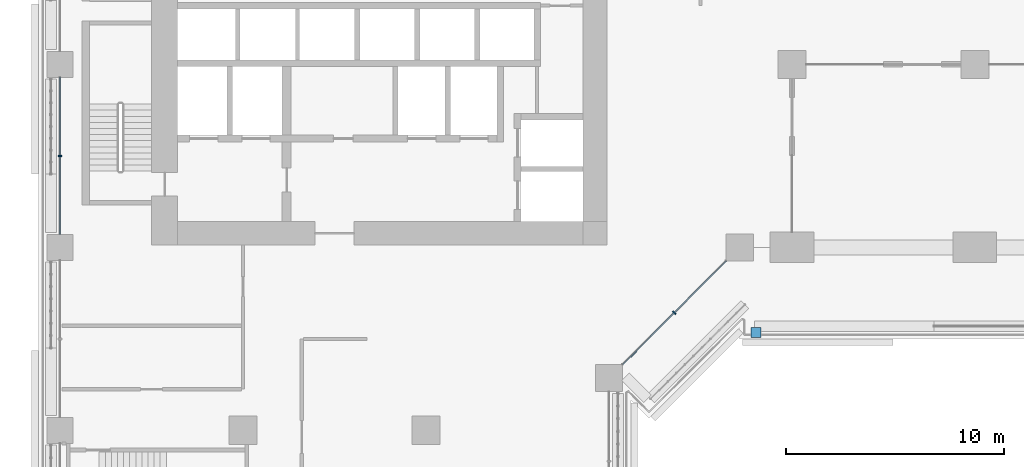
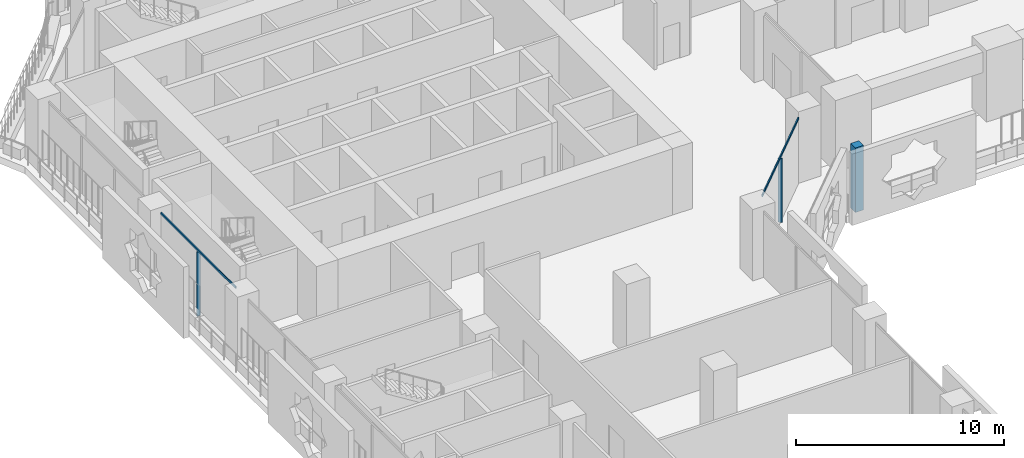
# One storey, part 4 of 27: 5 members, 3 elements without a shape of their own.
"""IFC4 building model written with IfcOpenShell, lengths in metres."""

from ifc_helpers import new_model, si_unit, direction, frame, origin, origin_2d, place, context, subcontext, project, spatial, rectangle, extrude, material, layer, layer_set, material_profile, profile_set, type_object, element, aggregate, save


model = new_model("IFC4")

# Units and contexts
model_context = context("Model", 3, precision=1e-05, world=origin(), true_north=direction((0.0, 1.0)))
body_context = subcontext(model_context, "Body", "Model", "MODEL_VIEW")
ifc_project = project(units=[si_unit("LENGTHUNIT", "METRE"), si_unit("AREAUNIT", "SQUARE_METRE"), si_unit("VOLUMEUNIT", "CUBIC_METRE"), si_unit("PLANEANGLEUNIT", "RADIAN"), si_unit("MASSUNIT", "GRAM", prefix="KILO")], contexts=[model_context])

# Site, building, storey
site_placement = place(None, origin())
site = spatial("IfcSite", under=ifc_project, at=site_placement, CompositionType="ELEMENT")
building_placement = place(site_placement, origin())
building = spatial("IfcBuilding", under=site, at=building_placement, Name="Kawkab Arch Medical Tower", CompositionType="ELEMENT")
storey_placement = place(building_placement, frame((0.0, 0.0, 39.199951171875)))
storey = spatial("IfcBuildingStorey", under=building, at=storey_placement, Name="L08", CompositionType="ELEMENT", Elevation=39.199951171875)

# Curtain wall, members
ifc_material_1 = material(Name="Bronze anodised aluminium curtain wall frame", Category="aluminium")
ifc_layer_1 = layer(ifc_material_1, 0.159912109375)
ifc_layer_set_1 = layer_set([ifc_layer_1], Name="Bronze anodised aluminium curtain wall frame")
curtain_wall_type_1 = type_object("IfcCurtainWallType", Name="CW1 ward curtain wall", PredefinedType="NOTDEFINED", material=ifc_layer_set_1)
placement = place(storey_placement, origin())
curtain_wall_1 = element("IfcCurtainWall", 1, at=placement, inside=storey, type_object=curtain_wall_type_1, Name="CW1 Ward curtain wall R11", PredefinedType="NOTDEFINED")
ifc_material_2 = material(Name="Bronze anodised aluminium curtain wall frame", Category="aluminium")
ifc_material_profile_1 = material_profile(ifc_material_2, rectangle(XDim=0.179931640625, YDim=0.06005859375, at=origin_2d()), Name="AL 60x180")
ifc_profile_set_1 = profile_set([ifc_material_profile_1], Name="Bronze anodised aluminium curtain wall frame")
member_type_1 = type_object("IfcMemberType", Name="CW1 mullion 60 x 180", PredefinedType="MULLION", material=ifc_profile_set_1)
member_1_placement = place(storey_placement, frame((0.0, -21.0, 0.0), z_axis=(0.0, 0.0, 1.0), x_axis=(1.0, 0.0, 0.0)))
member_1 = element("IfcMember", 2, at=member_1_placement, type_object=member_type_1, Name="CW1 mullion 2.1", PredefinedType="MULLION", context=body_context, shape_type="SweptSolid", body=[
    extrude(rectangle(XDim=0.179931640625, YDim=0.06005859375, at=origin_2d()), origin(), (0.0, 0.0, 1.0), 3.780029296875),
])
ifc_material_3 = material(Name="Bronze anodised aluminium curtain wall frame", Category="aluminium")
ifc_material_profile_2 = material_profile(ifc_material_3, rectangle(XDim=0.06005859375, YDim=0.1201171875, at=origin_2d()), Name="AL 60x120")
ifc_profile_set_2 = profile_set([ifc_material_profile_2], Name="Bronze anodised aluminium curtain wall frame")
member_type_2 = type_object("IfcMemberType", Name="CW1 transom 120 x 60", PredefinedType="USERDEFINED", material=ifc_profile_set_2)
member_2_placement = place(storey_placement, frame((0.0, -17.39990234375, 3.840087890625), z_axis=(0.0, -1.0, 0.0), x_axis=(1.0, 0.0, 0.0)))
member_2 = element("IfcMember", 3, at=member_2_placement, type_object=member_type_2, Name="CW1 transom 2", ObjectType="TRANSOM", PredefinedType="USERDEFINED", context=body_context, shape_type="SweptSolid", body=[
    extrude(rectangle(XDim=0.06005859375, YDim=0.1201171875, at=origin_2d()), origin(), (0.0, 0.0, 1.0), 7.2001953125),
])
aggregate(curtain_wall_1, [member_2, member_1])

ifc_material_4 = material(Name="Bronze anodised aluminium curtain wall frame", Category="aluminium")
ifc_layer_2 = layer(ifc_material_4, 0.159912109375)
ifc_layer_set_2 = layer_set([ifc_layer_2], Name="Bronze anodised aluminium curtain wall frame")
curtain_wall_type_2 = type_object("IfcCurtainWallType", Name="CW2 chamfer curtain wall", PredefinedType="NOTDEFINED", material=ifc_layer_set_2)
curtain_wall_2 = element("IfcCurtainWall", 4, at=placement, inside=storey, type_object=curtain_wall_type_2, Name="CW2 Chamfer curtain wall R16", PredefinedType="NOTDEFINED")
ifc_material_5 = material(Name="Bronze anodised aluminium curtain wall frame", Category="aluminium")
ifc_material_profile_3 = material_profile(ifc_material_5, rectangle(XDim=0.199951171875, YDim=0.06005859375, at=origin_2d()), Name="AL 60x200")
ifc_profile_set_3 = profile_set([ifc_material_profile_3], Name="Bronze anodised aluminium curtain wall frame")
member_type_3 = type_object("IfcMemberType", Name="CW2 mullion 60 x 200", PredefinedType="MULLION", material=ifc_profile_set_3)
member_3_placement = place(storey_placement, frame((28.199951171875, -28.199951171875, 0.0), z_axis=(0.0, 0.0, 1.0), x_axis=(-0.707106781187, 0.707106781187, 0.0)))
member_3 = element("IfcMember", 5, at=member_3_placement, type_object=member_type_3, Name="CW2 mullion 1.1", PredefinedType="MULLION", context=body_context, shape_type="SweptSolid", body=[
    extrude(rectangle(XDim=0.199951171875, YDim=0.06005859375, at=origin_2d()), origin(), (0.0, 0.0, 1.0), 3.760009765625),
])
ifc_material_6 = material(Name="Bronze anodised aluminium curtain wall frame", Category="aluminium")
ifc_material_profile_4 = material_profile(ifc_material_6, rectangle(XDim=0.06005859375, YDim=0.139892578125, at=origin_2d()), Name="AL 60x140")
ifc_profile_set_4 = profile_set([ifc_material_profile_4], Name="Bronze anodised aluminium curtain wall frame")
member_type_4 = type_object("IfcMemberType", Name="CW2 transom 140 x 60", PredefinedType="USERDEFINED", material=ifc_profile_set_4)
member_4_placement = place(storey_placement, frame((25.824951171875, -30.574951171875, 3.830078125), z_axis=(0.707106781187, 0.707106781187, 0.0), x_axis=(-0.707106781187, 0.707106781187, 0.0)))
member_4 = element("IfcMember", 6, at=member_4_placement, type_object=member_type_4, Name="CW2 transom 1", ObjectType="TRANSOM", PredefinedType="USERDEFINED", context=body_context, shape_type="SweptSolid", body=[
    extrude(rectangle(XDim=0.06005859375, YDim=0.139892578125, at=origin_2d()), origin(), (0.0, 0.0, 1.0), 6.717529296875),
])
aggregate(curtain_wall_2, [member_4, member_3])

# Curtain wall, member
ifc_material_7 = material(Name="Bronze anodised aluminium climber frame, planted", Category="aluminium")
ifc_layer_3 = layer(ifc_material_7, 0.449951171875)
ifc_layer_set_3 = layer_set([ifc_layer_3], Name="Bronze anodised aluminium climber frame, planted")
curtain_wall_type_3 = type_object("IfcCurtainWallType", Name="Planted climber frame", PredefinedType="NOTDEFINED", material=ifc_layer_set_3)
curtain_wall_3 = element("IfcCurtainWall", 7, at=placement, inside=storey, type_object=curtain_wall_type_3, Name="Planted climber frame L08", PredefinedType="NOTDEFINED")
ifc_material_8 = material(Name="Bronze anodised aluminium climber frame, planted", Category="aluminium")
ifc_material_profile_5 = material_profile(ifc_material_8, rectangle(XDim=0.449951171875, YDim=0.449951171875, at=origin_2d()), Name="Post 450x450")
ifc_profile_set_5 = profile_set([ifc_material_profile_5], Name="Bronze anodised aluminium climber frame, planted")
member_type_5 = type_object("IfcMemberType", Name="Planted climber post 450 x 450", PredefinedType="MULLION", material=ifc_profile_set_5)
member_5_placement = place(storey_placement, frame((31.949951171875, -29.10009765625, 0.0), z_axis=(0.0, 0.0, 1.0), x_axis=(1.0, 0.0, 0.0)))
member_5 = element("IfcMember", 8, at=member_5_placement, type_object=member_type_5, Name="Planted climber post L08.LOG-01-01.6", PredefinedType="MULLION", context=body_context, shape_type="SweptSolid", body=[
    extrude(rectangle(XDim=0.449951171875, YDim=0.449951171875, at=origin_2d()), origin(), (0.0, 0.0, 1.0), 3.800048828125),
])
aggregate(curtain_wall_3, [member_5])

save(model, "model.ifc")
